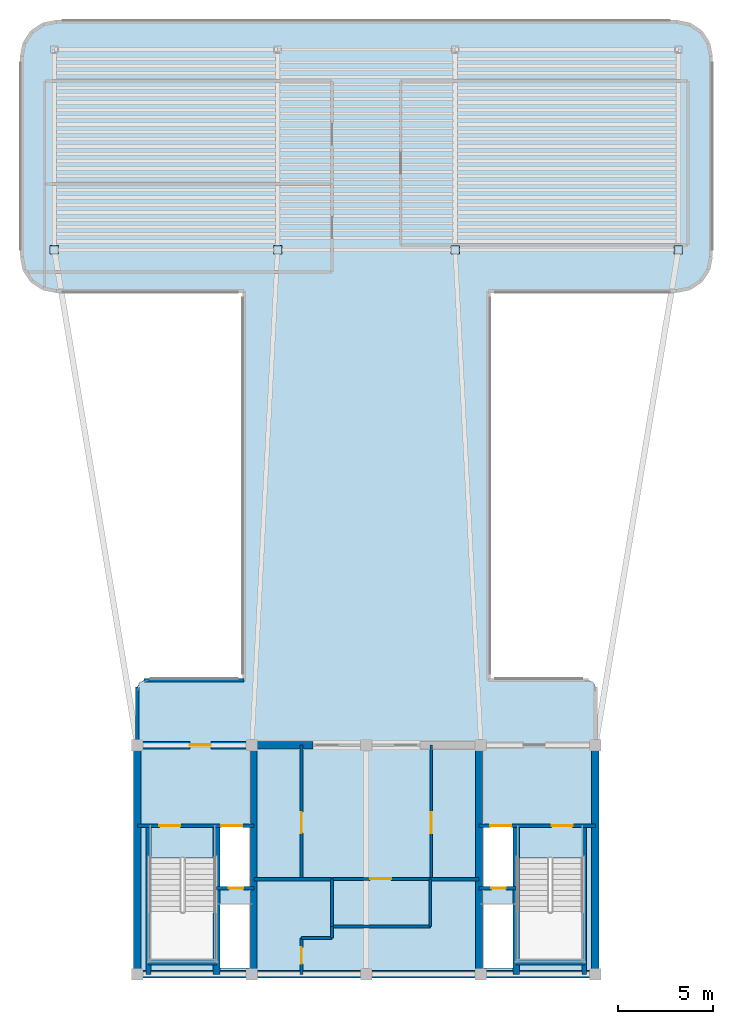
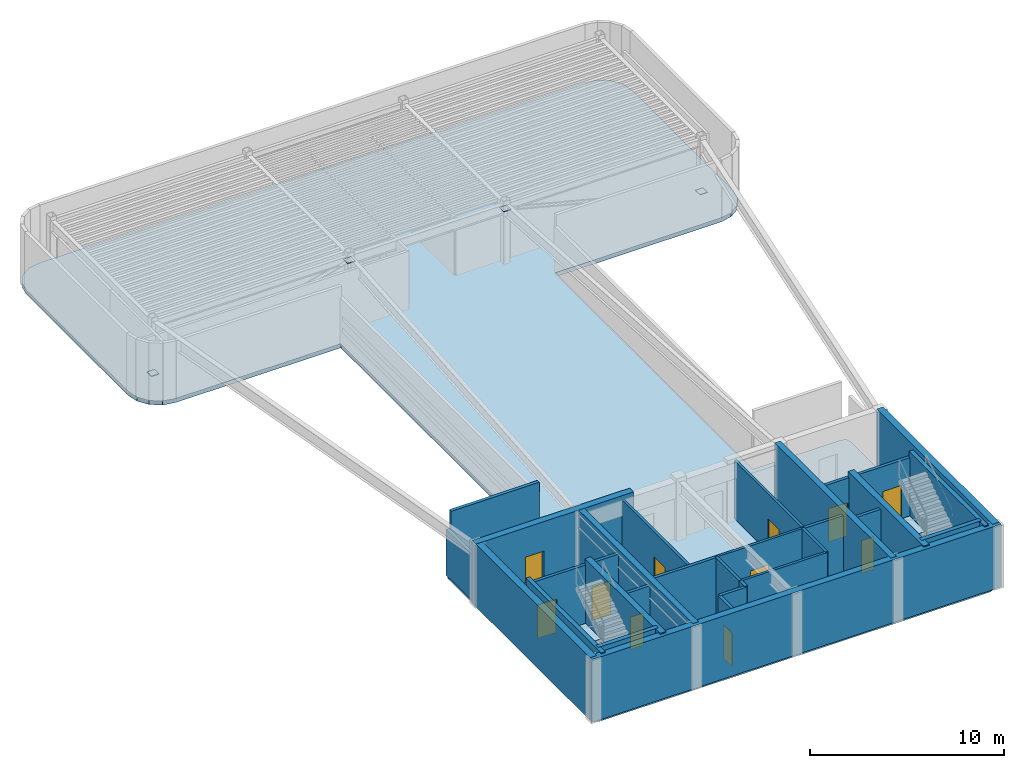
# One storey, part 2 of 6: 29 walls, 11 doors, 4 plates, 1 slab, 11 openings.
"""IFC4 building model written with IfcOpenShell, lengths in metres."""

from ifc_helpers import new_model, si_unit, direction, frame, frame_2d, origin, origin_2d, place, context, subcontext, project, spatial, polyline, rectangle, outline, extrude, source, transform, mapped, material, layer, layer_set, type_object, element, fill, save


model = new_model("IFC4")

# Units and contexts
model_context = context("Model", 3, precision=1e-05, world=origin(), true_north=direction((0.0, 1.0)))
body_context = subcontext(model_context, "Body", "Model", "MODEL_VIEW")
ifc_project = project(units=[si_unit("LENGTHUNIT", "METRE"), si_unit("AREAUNIT", "SQUARE_METRE"), si_unit("VOLUMEUNIT", "CUBIC_METRE"), si_unit("PLANEANGLEUNIT", "RADIAN"), si_unit("MASSUNIT", "GRAM", prefix="KILO")], contexts=[model_context])

# Site, building, storey
site_placement = place(None, origin())
site = spatial("IfcSite", under=ifc_project, at=site_placement, CompositionType="ELEMENT")
building_placement = place(site_placement, origin())
building = spatial("IfcBuilding", under=site, at=building_placement, Name="Brelvock Crest Care Tower", CompositionType="ELEMENT")
storey_placement = place(building_placement, frame((0.0, 0.0, 307.800048828125)))
storey = spatial("IfcBuildingStorey", under=building, at=storey_placement, Name="L78", CompositionType="ELEMENT", Elevation=307.800048828125)

# Slab
ifc_material_1 = material(Name="Concrete N50 (50 MPa)", Category="concrete")
ifc_layer_1 = layer(ifc_material_1, 0.25, Name="SLB-FL3")
ifc_layer_set_1 = layer_set([ifc_layer_1], Name="Concrete N50 (50 MPa)")
slab_type = type_object("IfcSlabType", Name="SLB-FL3", PredefinedType="FLOOR", material=ifc_layer_set_1)
slab_placement = place(storey_placement, frame((0.0, 0.0, -0.25)))
element("IfcSlab", 1, at=slab_placement, inside=storey, type_object=slab_type, Name="L78 Main Structural Slab", PredefinedType="FLOOR", context=body_context, shape_type="SweptSolid", body=[
    extrude(outline(polyline([(42.39990234375, 21.39990234375), (42.39990234375, 41.800048828125), (52.25, 41.800048828125), (52.938720703125, 41.93701171875), (53.522705078125, 42.3271484375), (53.9130859375, 42.9111328125), (54.050048828125, 43.60009765625), (54.050048828125, 54.10009765625), (53.9130859375, 54.788818359375), (53.522705078125, 55.372802734375), (52.938720703125, 55.762939453125), (52.25, 55.89990234375), (19.75, 55.89990234375), (19.061279296875, 55.762939453125), (18.477294921875, 55.372802734375), (18.0869140625, 54.788818359375), (17.949951171875, 54.10009765625), (17.949951171875, 43.60009765625), (18.0869140625, 42.9111328125), (18.477294921875, 42.3271484375), (19.061279296875, 41.93701171875), (19.75, 41.800048828125), (29.60009765625, 41.800048828125), (29.60009765625, 21.39990234375), (24.35009765625, 21.39990234375), (24.1025390625, 21.297607421875), (24.0, 21.050048828125), (24.0, 6.35009765625), (24.1025390625, 6.1025390625), (24.35009765625, 6.0), (47.64990234375, 6.0), (47.8974609375, 6.1025390625), (48.0, 6.35009765625), (48.0, 21.050048828125), (47.8974609375, 21.297607421875), (47.64990234375, 21.39990234375), (42.39990234375, 21.39990234375)]), holes=[polyline([(28.239990234375, 10.580078125), (29.97998046875, 10.580078125), (29.97998046875, 13.739990234375), (28.239990234375, 13.739990234375), (28.239990234375, 10.580078125)]), polyline([(42.02001953125, 10.580078125), (43.760009765625, 10.580078125), (43.760009765625, 13.739990234375), (42.02001953125, 13.739990234375), (42.02001953125, 10.580078125)]), polyline([(28.239990234375, 6.340087890625), (29.97998046875, 6.340087890625), (29.97998046875, 9.64990234375), (28.239990234375, 9.64990234375), (28.239990234375, 6.340087890625)]), polyline([(24.6298828125, 12.080078125), (24.6298828125, 6.699951171875), (28.110107421875, 6.699951171875), (28.110107421875, 12.080078125), (24.6298828125, 12.080078125)]), polyline([(43.889892578125, 12.080078125), (43.889892578125, 6.699951171875), (47.3701171875, 6.699951171875), (47.3701171875, 12.080078125), (43.889892578125, 12.080078125)]), polyline([(42.02001953125, 6.340087890625), (43.760009765625, 6.340087890625), (43.760009765625, 9.64990234375), (42.02001953125, 9.64990234375), (42.02001953125, 6.340087890625)])]), origin(), (0.0, 0.0, 1.0), 0.25),
])

# Plates
ifc_material_2 = material(Name="Steel Grade 350", Category="steel")
plate_type = type_object("IfcPlateType", Name="PLT-EC3", PredefinedType="USERDEFINED", material=ifc_material_2)
shared_shape_1 = source(origin(), body_context, "Body", "SweptSolid", [
    extrude(rectangle(XDim=0.449951171875, YDim=0.449951171875, at=origin_2d()), origin(), (0.0, 0.0, 1.0), 0.02490234375),
])
for number, where, z_axis, x_axis, name in (
    (2, (19.64990234375, 43.949951171875, 0.33740234375), (0.0, 0.0, 1.0), (1.0, 0.0, 0.0), "PLT-CANSTC1-L78-W"),
    (3, (31.35009765625, 43.949951171875, 3.347412109375), (0.0, 0.0, 1.0), (1.0, 0.0, 0.0), "PLT-CANSTC2-L78-W"),
    (4, (52.35009765625, 43.949951171875, 0.33740234375), (0.0, 0.0, 1.0), (1.0, 0.0, 0.0), "PLT-CANSTC1-L78-E"),
    (5, (40.64990234375, 43.949951171875, 3.347412109375), (0.0, 0.0, 1.0), (1.0, 0.0, 0.0), "PLT-CANSTC2-L78-E"),
):
    element("IfcPlate", number, at=place(storey_placement, frame(where, z_axis=z_axis, x_axis=x_axis)), inside=storey, type_object=plate_type, Name=name, ObjectType="FLANGE_PLATE", PredefinedType="USERDEFINED", context=body_context, shape_type="MappedRepresentation", body=[
        mapped(shared_shape_1, transform((0.0, 0.0, 0.0), x_axis=(1.0, 0.0, 0.0), y_axis=(0.0, 1.0, 0.0), z_axis=(0.0, 0.0, 1.0), scale=1.0)),
    ])

# Walls
ifc_material_3 = material(Name="Concrete S65 (65 MPa)", Category="concrete")
ifc_layer_2 = layer(ifc_material_3, 0.39990234375, Name="WL-CS4")
ifc_layer_set_2 = layer_set([ifc_layer_2], Name="Concrete S65 (65 MPa)")
wall_type_1 = type_object("IfcWallType", Name="WL-CS4", PredefinedType="SHEAR", material=ifc_layer_set_2)
wall_1_placement = place(storey_placement, frame((48.199951171875, 6.0, 0.0), z_axis=(0.0, 0.0, 1.0), x_axis=(-1.0, 0.0, 0.0)))
element("IfcWall", 6, at=wall_1_placement, inside=storey, type_object=wall_type_1, Name="L78 Core South Shear Wall", PredefinedType="SHEAR", context=body_context, shape_type="SweptSolid", body=[
    extrude(rectangle(XDim=24.39990234375, YDim=0.39990234375, at=frame_2d((12.199951171875, 0.0))), origin(), (0.0, 0.0, 1.0), 3.9599609375),
])
for number, where, z_axis, x_axis, name in (
    (7, (24.0, 6.0, 0.0), (0.0, 0.0, 1.0), (0.0, 1.0, 0.0), "L78 Core West Shear Wall"),
    (8, (48.0, 18.0, 0.0), (0.0, 0.0, 1.0), (0.0, -1.0, 0.0), "L78 Core East Shear Wall"),
):
    element("IfcWall", number, at=place(storey_placement, frame(where, z_axis=z_axis, x_axis=x_axis)), inside=storey, type_object=wall_type_1, Name=name, PredefinedType="SHEAR", context=body_context, shape_type="SweptSolid", body=[
        extrude(rectangle(XDim=12.0, YDim=0.39990234375, at=frame_2d((6.0, 0.0))), origin(), (0.0, 0.0, 1.0), 3.9599609375),
    ])

# Wall, opening, door
wall_2_placement = place(storey_placement, frame((23.800048828125, 18.0, 0.0), z_axis=(0.0, 0.0, 1.0), x_axis=(1.0, 0.0, 0.0)))
wall_2 = element("IfcWall", 9, at=wall_2_placement, inside=storey, type_object=wall_type_1, Name="L78 Core North-West Shear Wall", PredefinedType="SHEAR", context=body_context, shape_type="SweptSolid", body=[
    extrude(rectangle(XDim=9.39990234375, YDim=0.39990234375, at=frame_2d((4.699951171875, 0.0))), origin(), (0.0, 0.0, 1.0), 3.9599609375),
])
opening_1_placement = place(wall_2_placement, frame((2.949951171875, 0.0, 0.0)))
opening_1 = element("IfcOpeningElement", 10, at=opening_1_placement, cuts=wall_2, Name="Opening FD-1", PredefinedType="OPENING", context=body_context, shape_type="SweptSolid", body=[
    extrude(rectangle(XDim=1.10009765625, YDim=2.10009765625, at=origin_2d()), frame((0.550048828125, 0.2099609375, 1.050048828125), z_axis=(0.0, -1.0, 0.0), x_axis=(1.0, 0.0, 0.0)), (0.0, 0.0, 1.0), 0.419921875),
])
door_type_1 = type_object("IfcDoorType", Name="DR-FFL1", OperationType="NOTDEFINED", PredefinedType="DOOR", material=ifc_material_2)
shared_shape_2 = source(origin(), body_context, "Body", "SweptSolid", [
    extrude(rectangle(XDim=1.10009765625, YDim=2.10009765625, at=origin_2d()), frame((0.550048828125, 0.02490234375, 1.050048828125), z_axis=(0.0, -1.0, 0.0), x_axis=(1.0, 0.0, 0.0)), (0.0, 0.0, 1.0), 0.050048828125),
])
door_1_placement = place(opening_1_placement, origin())
door_1 = element("IfcDoor", 11, at=door_1_placement, inside=storey, type_object=door_type_1, Name="L78 Firefighting Lobby FFL-1 Exit Door", OperationType="SINGLE_SWING_LEFT", OverallHeight=2.10009765625, OverallWidth=1.10009765625, PredefinedType="DOOR", context=body_context, shape_type="MappedRepresentation", body=[
    mapped(shared_shape_2, transform((0.0, 0.0, 0.0), x_axis=(1.0, 0.0, 0.0), y_axis=(0.0, 1.0, 0.0), z_axis=(0.0, 0.0, 1.0), scale=1.0)),
])
fill(opening_1, door_1)

# Walls
ifc_material_4 = material(Name="Concrete S80 (80 MPa)", Category="concrete")
ifc_layer_3 = layer(ifc_material_4, 0.35009765625, Name="WL-CS5")
ifc_layer_set_3 = layer_set([ifc_layer_3], Name="Concrete S80 (80 MPa)")
wall_type_2 = type_object("IfcWallType", Name="WL-CS5", PredefinedType="SHEAR", material=ifc_layer_set_3)
for number, where, z_axis, x_axis, name in (
    (12, (30.10009765625, 6.0, 0.0), (0.0, 0.0, 1.0), (0.0, 1.0, 0.0), "L78 Core Internal Web Wall West"),
    (13, (41.89990234375, 18.0, 0.0), (0.0, 0.0, 1.0), (0.0, -1.0, 0.0), "L78 Core Internal Web Wall East"),
):
    element("IfcWall", number, at=place(storey_placement, frame(where, z_axis=z_axis, x_axis=x_axis)), inside=storey, type_object=wall_type_2, Name=name, PredefinedType="SHEAR", context=body_context, shape_type="SweptSolid", body=[
        extrude(rectangle(XDim=12.0, YDim=0.35009765625, at=frame_2d((6.0, 0.0))), origin(), (0.0, 0.0, 1.0), 3.9599609375),
    ])
for number, where, z_axis, x_axis, name in (
    (14, (28.14990234375, 6.0, 0.0), (0.0, 0.0, 1.0), (0.0, 1.0, 0.0), "L78 Core Stair ST-1 East Shear Wall"),
    (15, (43.85009765625, 6.0, 0.0), (0.0, 0.0, 1.0), (0.0, 1.0, 0.0), "L78 Core Stair ST-2 West Shear Wall"),
):
    element("IfcWall", number, at=place(storey_placement, frame(where, z_axis=z_axis, x_axis=x_axis)), inside=storey, type_object=wall_type_2, Name=name, PredefinedType="SHEAR", context=body_context, shape_type="SweptSolid", body=[
        extrude(rectangle(XDim=7.780029296875, YDim=0.35009765625, at=frame_2d((3.89013671875, 0.0))), origin(), (0.0, 0.0, 1.0), 4.030029296875),
    ])
ifc_layer_4 = layer(ifc_material_4, 0.25, Name="WL-CS6")
ifc_layer_set_4 = layer_set([ifc_layer_4], Name="Concrete S80 (80 MPa)")
wall_type_3 = type_object("IfcWallType", Name="WL-CS6", PredefinedType="SHEAR", material=ifc_layer_set_4)
wall_3_placement = place(storey_placement, frame((24.580078125, 6.0, 0.0), z_axis=(0.0, 0.0, 1.0), x_axis=(0.0, 1.0, 0.0)))
element("IfcWall", 16, at=wall_3_placement, inside=storey, type_object=wall_type_3, Name="L78 Core Stair ST-1 West Shear Wall", PredefinedType="SHEAR", context=body_context, shape_type="SweptSolid", body=[
    extrude(rectangle(XDim=7.780029296875, YDim=0.25, at=frame_2d((3.89013671875, 0.0))), origin(), (0.0, 0.0, 1.0), 4.030029296875),
])
wall_4_placement = place(storey_placement, frame((24.580078125, 6.6201171875, 0.0), z_axis=(0.0, 0.0, 1.0), x_axis=(1.0, 0.0, 0.0)))
element("IfcWall", 17, at=wall_4_placement, inside=storey, type_object=wall_type_3, Name="L78 Core Stair ST-1 South Shear Wall", PredefinedType="SHEAR", context=body_context, shape_type="SweptSolid", body=[
    extrude(rectangle(XDim=3.56982421875, YDim=0.25, at=frame_2d((1.784912109375, 0.0))), origin(), (0.0, 0.0, 1.0), 4.030029296875),
])
wall_5_placement = place(storey_placement, frame((47.419921875, 6.0, 0.0), z_axis=(0.0, 0.0, 1.0), x_axis=(0.0, 1.0, 0.0)))
element("IfcWall", 18, at=wall_5_placement, inside=storey, type_object=wall_type_3, Name="L78 Core Stair ST-2 East Shear Wall", PredefinedType="SHEAR", context=body_context, shape_type="SweptSolid", body=[
    extrude(rectangle(XDim=7.780029296875, YDim=0.25, at=frame_2d((3.89013671875, 0.0))), origin(), (0.0, 0.0, 1.0), 4.030029296875),
])
wall_6_placement = place(storey_placement, frame((43.85009765625, 6.6201171875, 0.0), z_axis=(0.0, 0.0, 1.0), x_axis=(1.0, 0.0, 0.0)))
element("IfcWall", 19, at=wall_6_placement, inside=storey, type_object=wall_type_3, Name="L78 Core Stair ST-2 South Shear Wall", PredefinedType="SHEAR", context=body_context, shape_type="SweptSolid", body=[
    extrude(rectangle(XDim=3.56982421875, YDim=0.25, at=frame_2d((1.784912109375, 0.0))), origin(), (0.0, 0.0, 1.0), 4.030029296875),
])
ifc_material_5 = material(Name="Precast concrete N40 (40 MPa)", Category="concrete")
ifc_layer_5 = layer(ifc_material_5, 0.195068359375, Name="WL-EX3")
ifc_layer_set_5 = layer_set([ifc_layer_5], Name="Precast concrete N40 (40 MPa)")
wall_type_4 = type_object("IfcWallType", Name="WL-EX3", PredefinedType="SOLIDWALL", material=ifc_layer_set_5)
wall_7_placement = place(storey_placement, frame((24.0, 18.280029296875, 0.0), z_axis=(0.0, 0.0, 1.0), x_axis=(0.0, 1.0, 0.0)))
element("IfcWall", 20, at=wall_7_placement, inside=storey, type_object=wall_type_4, Name="L78 Crown and Plant Cladding Wall 08", PredefinedType="SOLIDWALL", context=body_context, shape_type="SweptSolid", body=[
    extrude(rectangle(XDim=2.77001953125, YDim=0.195068359375, at=frame_2d((1.385009765625, 0.0))), origin(), (0.0, 0.0, 1.0), 2.89794921875),
])
wall_8_placement = place(storey_placement, frame((24.35009765625, 21.39990234375, 0.0), z_axis=(0.0, 0.0, 1.0), x_axis=(1.0, 0.0, 0.0)))
element("IfcWall", 21, at=wall_8_placement, inside=storey, type_object=wall_type_4, Name="L78 Crown and Plant Cladding Wall 11", PredefinedType="SOLIDWALL", context=body_context, shape_type="SweptSolid", body=[
    extrude(rectangle(XDim=5.25, YDim=0.195068359375, at=frame_2d((2.625, 0.0))), origin(), (0.0, 0.0, 1.0), 3.7099609375),
])

# Wall, opening, door
ifc_material_6 = material(Name="Masonry Blockwork Acoustic Partition", Category="masonry")
ifc_layer_6 = layer(ifc_material_6, 0.14990234375, Name="WL-INT1")
ifc_layer_set_6 = layer_set([ifc_layer_6], Name="Masonry Blockwork Acoustic Partition")
wall_type_5 = type_object("IfcWallType", Name="WL-INT1", PredefinedType="PARTITIONING", material=ifc_layer_set_6)
wall_9_placement = place(storey_placement, frame((32.60009765625, 11.0, 0.0), z_axis=(0.0, 0.0, 1.0), x_axis=(0.0, 1.0, 0.0)))
wall_9 = element("IfcWall", 22, at=wall_9_placement, inside=storey, type_object=wall_type_5, Name="L78 Interior Wall WL-CRCL-E-L78", PredefinedType="PARTITIONING", context=body_context, shape_type="SweptSolid", body=[
    extrude(rectangle(XDim=7.0, YDim=0.14990234375, at=frame_2d((3.5, 0.0))), origin(), (0.0, 0.0, 1.0), 3.679931640625),
])
opening_2_placement = place(wall_9_placement, frame((2.39990234375, 0.0, 0.0)))
opening_2 = element("IfcOpeningElement", 23, at=opening_2_placement, cuts=wall_9, Name="Opening PD-1", PredefinedType="OPENING", context=body_context, shape_type="SweptSolid", body=[
    extrude(rectangle(XDim=1.10009765625, YDim=2.10009765625, at=origin_2d()), frame((0.550048828125, 0.0849609375, 1.050048828125), z_axis=(0.0, -1.0, 0.0), x_axis=(1.0, 0.0, 0.0)), (0.0, 0.0, 1.0), 0.169921875),
])
door_type_2 = type_object("IfcDoorType", Name="DR-PLT1", OperationType="NOTDEFINED", PredefinedType="DOOR", material=ifc_material_2)
shared_shape_3 = source(origin(), body_context, "Body", "SweptSolid", [
    extrude(rectangle(XDim=1.10009765625, YDim=2.10009765625, at=origin_2d()), frame((0.550048828125, 0.02490234375, 1.050048828125), z_axis=(0.0, -1.0, 0.0), x_axis=(1.0, 0.0, 0.0)), (0.0, 0.0, 1.0), 0.050048828125),
])
door_2_placement = place(opening_2_placement, origin())
door_2 = element("IfcDoor", 24, at=door_2_placement, inside=storey, type_object=door_type_2, Name="DR-CRCL1-L78", OperationType="SINGLE_SWING_LEFT", OverallHeight=2.10009765625, OverallWidth=1.10009765625, PredefinedType="DOOR", context=body_context, shape_type="MappedRepresentation", body=[
    mapped(shared_shape_3, transform((0.0, 0.0, 0.0), x_axis=(1.0, 0.0, 0.0), y_axis=(0.0, 1.0, 0.0), z_axis=(0.0, 0.0, 1.0), scale=1.0)),
])
fill(opening_2, door_2)

# Walls
wall_10_placement = place(storey_placement, frame((34.199951171875, 8.5, 0.0), z_axis=(0.0, 0.0, 1.0), x_axis=(1.0, 0.0, 0.0)))
element("IfcWall", 25, at=wall_10_placement, inside=storey, type_object=wall_type_5, Name="L78 Interior Wall WL-CRCM-S-L78", PredefinedType="PARTITIONING", context=body_context, shape_type="SweptSolid", body=[
    extrude(rectangle(XDim=5.150146484375, YDim=0.14990234375, at=frame_2d((2.5751953125, 0.0))), origin(), (0.0, 0.0, 1.0), 3.679931640625),
])
for number, where, z_axis, x_axis, name in (
    (26, (34.199951171875, 8.5, 0.0), (0.0, 0.0, 1.0), (0.0, 1.0, 0.0), "L78 Interior Wall WL-CRCM-W-L78"),
    (27, (39.35009765625, 8.5, 0.0), (0.0, 0.0, 1.0), (0.0, 1.0, 0.0), "L78 Interior Wall WL-CRCM-E-L78"),
):
    element("IfcWall", number, at=place(storey_placement, frame(where, z_axis=z_axis, x_axis=x_axis)), inside=storey, type_object=wall_type_5, Name=name, PredefinedType="PARTITIONING", context=body_context, shape_type="SweptSolid", body=[
        extrude(rectangle(XDim=2.5, YDim=0.14990234375, at=frame_2d((1.25, 0.0))), origin(), (0.0, 0.0, 1.0), 3.679931640625),
    ])

# Wall, opening, door
wall_11_placement = place(storey_placement, frame((34.199951171875, 11.0, 0.0), z_axis=(0.0, 0.0, 1.0), x_axis=(1.0, 0.0, 0.0)))
wall_11 = element("IfcWall", 28, at=wall_11_placement, inside=storey, type_object=wall_type_5, Name="L78 Interior Wall WL-CRCM-N-L78", PredefinedType="PARTITIONING", context=body_context, shape_type="SweptSolid", body=[
    extrude(rectangle(XDim=5.150146484375, YDim=0.14990234375, at=frame_2d((2.5751953125, 0.0))), origin(), (0.0, 0.0, 1.0), 3.679931640625),
])
opening_3_placement = place(wall_11_placement, frame((2.0, 0.0, 0.0)))
opening_3 = element("IfcOpeningElement", 29, at=opening_3_placement, cuts=wall_11, Name="Opening PD-1", PredefinedType="OPENING", context=body_context, shape_type="SweptSolid", body=[
    extrude(rectangle(XDim=1.10009765625, YDim=2.10009765625, at=origin_2d()), frame((0.550048828125, 0.0849609375, 1.050048828125), z_axis=(0.0, -1.0, 0.0), x_axis=(1.0, 0.0, 0.0)), (0.0, 0.0, 1.0), 0.169921875),
])
door_3_placement = place(opening_3_placement, origin())
door_3 = element("IfcDoor", 30, at=door_3_placement, inside=storey, type_object=door_type_2, Name="DR-CRCM1-L78", OperationType="SINGLE_SWING_LEFT", OverallHeight=2.10009765625, OverallWidth=1.10009765625, PredefinedType="DOOR", context=body_context, shape_type="MappedRepresentation", body=[
    mapped(shared_shape_3, transform((0.0, 0.0, 0.0), x_axis=(1.0, 0.0, 0.0), y_axis=(0.0, 1.0, 0.0), z_axis=(0.0, 0.0, 1.0), scale=1.0)),
])
fill(opening_3, door_3)

wall_12_placement = place(storey_placement, frame((39.39990234375, 11.0, 0.0), z_axis=(0.0, 0.0, 1.0), x_axis=(0.0, 1.0, 0.0)))
wall_12 = element("IfcWall", 31, at=wall_12_placement, inside=storey, type_object=wall_type_5, Name="L78 Interior Wall WL-CRCH-W-L78", PredefinedType="PARTITIONING", context=body_context, shape_type="SweptSolid", body=[
    extrude(rectangle(XDim=7.0, YDim=0.14990234375, at=frame_2d((3.5, 0.0))), origin(), (0.0, 0.0, 1.0), 3.679931640625),
])
opening_4_placement = place(wall_12_placement, frame((2.39990234375, 0.0, 0.0)))
opening_4 = element("IfcOpeningElement", 32, at=opening_4_placement, cuts=wall_12, Name="Opening PD-1", PredefinedType="OPENING", context=body_context, shape_type="SweptSolid", body=[
    extrude(rectangle(XDim=1.10009765625, YDim=2.10009765625, at=origin_2d()), frame((0.550048828125, 0.0849609375, 1.050048828125), z_axis=(0.0, -1.0, 0.0), x_axis=(1.0, 0.0, 0.0)), (0.0, 0.0, 1.0), 0.169921875),
])
door_4_placement = place(opening_4_placement, origin())
door_4 = element("IfcDoor", 33, at=door_4_placement, inside=storey, type_object=door_type_2, Name="DR-CRCH-L78", OperationType="SINGLE_SWING_RIGHT", OverallHeight=2.10009765625, OverallWidth=1.10009765625, PredefinedType="DOOR", context=body_context, shape_type="MappedRepresentation", body=[
    mapped(shared_shape_3, transform((0.0, 0.0, 0.0), x_axis=(1.0, 0.0, 0.0), y_axis=(0.0, 1.0, 0.0), z_axis=(0.0, 0.0, 1.0), scale=1.0)),
])
fill(opening_4, door_4)

# Walls
ifc_layer_7 = layer(ifc_material_6, 0.179931640625, Name="WL-SHF1")
ifc_layer_set_7 = layer_set([ifc_layer_7], Name="Masonry Blockwork Acoustic Partition")
wall_type_6 = type_object("IfcWallType", Name="WL-SHF1", PredefinedType="PARTITIONING", material=ifc_layer_set_7)
wall_13_placement = place(storey_placement, frame((30.10009765625, 10.97998046875, 0.0), z_axis=(0.0, 0.0, 1.0), x_axis=(1.0, 0.0, 0.0)))
element("IfcWall", 34, at=wall_13_placement, inside=storey, type_object=wall_type_6, Name="L78 Interior Wall WL-CSBW-N-L78", PredefinedType="PARTITIONING", context=body_context, shape_type="SweptSolid", body=[
    extrude(rectangle(XDim=4.079833984375, YDim=0.179931640625, at=frame_2d((2.0400390625, 0.0))), origin(), (0.0, 0.0, 1.0), 3.679931640625),
])
wall_14_placement = place(storey_placement, frame((34.199951171875, 7.89990234375, 0.0), z_axis=(0.0, 0.0, 1.0), x_axis=(0.0, 1.0, 0.0)))
element("IfcWall", 35, at=wall_14_placement, inside=storey, type_object=wall_type_6, Name="L78 Interior Wall WL-CSBW-E2-L78", PredefinedType="PARTITIONING", context=body_context, shape_type="SweptSolid", body=[
    extrude(rectangle(XDim=0.60009765625, YDim=0.179931640625, at=frame_2d((0.300048828125, 0.0))), origin(), (0.0, 0.0, 1.0), 3.679931640625),
])
wall_15_placement = place(storey_placement, frame((32.60009765625, 7.89990234375, 0.0), z_axis=(0.0, 0.0, 1.0), x_axis=(1.0, 0.0, 0.0)))
element("IfcWall", 36, at=wall_15_placement, inside=storey, type_object=wall_type_6, Name="L78 Interior Wall WL-CSBW-S2-L78", PredefinedType="PARTITIONING", context=body_context, shape_type="SweptSolid", body=[
    extrude(rectangle(XDim=1.599853515625, YDim=0.179931640625, at=frame_2d((0.7998046875, 0.0))), origin(), (0.0, 0.0, 1.0), 3.679931640625),
])

# Wall, opening, door
wall_16_placement = place(storey_placement, frame((32.60009765625, 6.0, 0.0), z_axis=(0.0, 0.0, 1.0), x_axis=(0.0, 1.0, 0.0)))
wall_16 = element("IfcWall", 37, at=wall_16_placement, inside=storey, type_object=wall_type_6, Name="L78 Interior Wall WL-CSBW-E1-L78", PredefinedType="PARTITIONING", context=body_context, shape_type="SweptSolid", body=[
    extrude(rectangle(XDim=1.89990234375, YDim=0.179931640625, at=frame_2d((0.949951171875, 0.0))), origin(), (0.0, 0.0, 1.0), 3.679931640625),
])
opening_5_placement = place(wall_16_placement, frame((0.550048828125, 0.0, 0.0)))
opening_5 = element("IfcOpeningElement", 38, at=opening_5_placement, cuts=wall_16, Name="Opening ID-1", PredefinedType="OPENING", context=body_context, shape_type="SweptSolid", body=[
    extrude(rectangle(XDim=0.860107421875, YDim=2.10009765625, at=origin_2d()), frame((0.43017578125, 0.10009765625, 1.050048828125), z_axis=(0.0, -1.0, 0.0), x_axis=(1.0, 0.0, 0.0)), (0.0, 0.0, 1.0), 0.199951171875),
])
ifc_material_7 = material(Name="Engineered Hardwood Timber", Category="wood")
door_type_3 = type_object("IfcDoorType", Name="DR-INT1", OperationType="NOTDEFINED", PredefinedType="DOOR", material=ifc_material_7)
shared_shape_4 = source(origin(), body_context, "Body", "SweptSolid", [
    extrude(rectangle(XDim=0.860107421875, YDim=2.10009765625, at=origin_2d()), frame((0.43017578125, 0.02490234375, 1.050048828125), z_axis=(0.0, -1.0, 0.0), x_axis=(1.0, 0.0, 0.0)), (0.0, 0.0, 1.0), 0.050048828125),
])
door_5_placement = place(opening_5_placement, origin())
door_5 = element("IfcDoor", 39, at=door_5_placement, inside=storey, type_object=door_type_3, Name="DR-CSBW-L78", OperationType="SINGLE_SWING_LEFT", OverallHeight=2.10009765625, OverallWidth=0.860107421875, PredefinedType="DOOR", context=body_context, shape_type="MappedRepresentation", body=[
    mapped(shared_shape_4, transform((0.0, 0.0, 0.0), x_axis=(1.0, 0.0, 0.0), y_axis=(0.0, 1.0, 0.0), z_axis=(0.0, 0.0, 1.0), scale=1.0)),
])
fill(opening_5, door_5)

# Wall
wall_17_placement = place(storey_placement, frame((39.35009765625, 10.97998046875, 0.0), z_axis=(0.0, 0.0, 1.0), x_axis=(1.0, 0.0, 0.0)))
element("IfcWall", 40, at=wall_17_placement, inside=storey, type_object=wall_type_6, Name="L78 Interior Wall WL-CSBE-N-L78", PredefinedType="PARTITIONING", context=body_context, shape_type="SweptSolid", body=[
    extrude(rectangle(XDim=2.5498046875, YDim=0.179931640625, at=frame_2d((1.27490234375, 0.0))), origin(), (0.0, 0.0, 1.0), 3.679931640625),
])

# Wall, openings, doors
wall_18_placement = place(storey_placement, frame((24.0, 13.780029296875, 0.0), z_axis=(0.0, 0.0, 1.0), x_axis=(1.0, 0.0, 0.0)))
wall_18 = element("IfcWall", 41, at=wall_18_placement, inside=storey, type_object=wall_type_6, Name="L78 Interior Wall WL-ST1-N-L78", PredefinedType="PARTITIONING", context=body_context, shape_type="SweptSolid", body=[
    extrude(rectangle(XDim=6.10009765625, YDim=0.179931640625, at=frame_2d((3.050048828125, 0.0))), origin(), (0.0, 0.0, 1.0), 3.679931640625),
])
opening_6_placement = place(wall_18_placement, frame((1.14990234375, 0.0, 0.0)))
opening_6 = element("IfcOpeningElement", 42, at=opening_6_placement, cuts=wall_18, Name="Opening SD-1", PredefinedType="OPENING", context=body_context, shape_type="SweptSolid", body=[
    extrude(rectangle(XDim=1.10009765625, YDim=2.10009765625, at=origin_2d()), frame((0.550048828125, 0.10009765625, 1.050048828125), z_axis=(0.0, -1.0, 0.0), x_axis=(1.0, 0.0, 0.0)), (0.0, 0.0, 1.0), 0.199951171875),
])
opening_7_placement = place(wall_18_placement, frame((4.39990234375, 0.0, 0.0)))
opening_7 = element("IfcOpeningElement", 43, at=opening_7_placement, cuts=wall_18, Name="Opening LD", PredefinedType="OPENING", context=body_context, shape_type="SweptSolid", body=[
    extrude(rectangle(XDim=1.10009765625, YDim=2.10009765625, at=origin_2d()), frame((0.550048828125, 0.10009765625, 1.050048828125), z_axis=(0.0, -1.0, 0.0), x_axis=(1.0, 0.0, 0.0)), (0.0, 0.0, 1.0), 0.199951171875),
])
door_type_4 = type_object("IfcDoorType", Name="DR-ST1", OperationType="NOTDEFINED", PredefinedType="DOOR", material=ifc_material_2)
shared_shape_5 = source(origin(), body_context, "Body", "SweptSolid", [
    extrude(rectangle(XDim=1.10009765625, YDim=2.10009765625, at=origin_2d()), frame((0.550048828125, 0.02490234375, 1.050048828125), z_axis=(0.0, -1.0, 0.0), x_axis=(1.0, 0.0, 0.0)), (0.0, 0.0, 1.0), 0.050048828125),
])
door_6_placement = place(opening_6_placement, origin())
door_6 = element("IfcDoor", 44, at=door_6_placement, inside=storey, type_object=door_type_4, Name="L78 Fire Stair ST-1 Door", OperationType="SINGLE_SWING_LEFT", OverallHeight=2.10009765625, OverallWidth=1.10009765625, PredefinedType="DOOR", context=body_context, shape_type="MappedRepresentation", body=[
    mapped(shared_shape_5, transform((0.0, 0.0, 0.0), x_axis=(1.0, 0.0, 0.0), y_axis=(0.0, 1.0, 0.0), z_axis=(0.0, 0.0, 1.0), scale=1.0)),
])
fill(opening_6, door_6)
door_type_5 = type_object("IfcDoorType", Name="DR-LD1", OperationType="NOTDEFINED", PredefinedType="DOOR", material=ifc_material_2)
shared_shape_6 = source(origin(), body_context, "Body", "SweptSolid", [
    extrude(rectangle(XDim=1.10009765625, YDim=2.10009765625, at=origin_2d()), frame((0.550048828125, 0.02490234375, 1.050048828125), z_axis=(0.0, -1.0, 0.0), x_axis=(1.0, 0.0, 0.0)), (0.0, 0.0, 1.0), 0.050048828125),
])
door_7_placement = place(opening_7_placement, origin())
door_7 = element("IfcDoor", 45, at=door_7_placement, inside=storey, type_object=door_type_5, Name="L78 Firefighting Lift FFL-1 Landing Door", OperationType="SLIDING_TO_LEFT", OverallHeight=2.10009765625, OverallWidth=1.10009765625, PredefinedType="DOOR", context=body_context, shape_type="MappedRepresentation", body=[
    mapped(shared_shape_6, transform((0.0, 0.0, 0.0), x_axis=(1.0, 0.0, 0.0), y_axis=(0.0, 1.0, 0.0), z_axis=(0.0, 0.0, 1.0), scale=1.0)),
])
fill(opening_7, door_7)

# Wall, opening, door
wall_19_placement = place(storey_placement, frame((28.14990234375, 10.5, 0.0), z_axis=(0.0, 0.0, 1.0), x_axis=(1.0, 0.0, 0.0)))
wall_19 = element("IfcWall", 46, at=wall_19_placement, inside=storey, type_object=wall_type_6, Name="L78 Interior Wall WL-FFH1-S-L78", PredefinedType="PARTITIONING", context=body_context, shape_type="SweptSolid", body=[
    extrude(rectangle(XDim=1.9501953125, YDim=0.179931640625, at=frame_2d((0.97509765625, 0.0))), origin(), (0.0, 0.0, 1.0), 3.679931640625),
])
opening_8_placement = place(wall_19_placement, frame((0.64990234375, 0.0, 0.0)))
opening_8 = element("IfcOpeningElement", 47, at=opening_8_placement, cuts=wall_19, Name="Opening RD-1", PredefinedType="OPENING", context=body_context, shape_type="SweptSolid", body=[
    extrude(rectangle(XDim=0.760009765625, YDim=2.050048828125, at=origin_2d()), frame((0.3798828125, 0.10009765625, 1.02490234375), z_axis=(0.0, -1.0, 0.0), x_axis=(1.0, 0.0, 0.0)), (0.0, 0.0, 1.0), 0.199951171875),
])
door_type_6 = type_object("IfcDoorType", Name="DR-RIS1", OperationType="NOTDEFINED", PredefinedType="DOOR", material=ifc_material_2)
shared_shape_7 = source(origin(), body_context, "Body", "SweptSolid", [
    extrude(rectangle(XDim=0.760009765625, YDim=2.050048828125, at=origin_2d()), frame((0.3798828125, 0.02490234375, 1.02490234375), z_axis=(0.0, -1.0, 0.0), x_axis=(1.0, 0.0, 0.0)), (0.0, 0.0, 1.0), 0.050048828125),
])
door_8_placement = place(opening_8_placement, origin())
door_8 = element("IfcDoor", 48, at=door_8_placement, inside=storey, type_object=door_type_6, Name="L78 Wet Fire Riser Access Door", OperationType="SINGLE_SWING_LEFT", OverallHeight=2.050048828125, OverallWidth=0.760009765625, PredefinedType="DOOR", context=body_context, shape_type="MappedRepresentation", body=[
    mapped(shared_shape_7, transform((0.0, 0.0, 0.0), x_axis=(1.0, 0.0, 0.0), y_axis=(0.0, 1.0, 0.0), z_axis=(0.0, 0.0, 1.0), scale=1.0)),
])
fill(opening_8, door_8)

# Wall, openings, doors
wall_20_placement = place(storey_placement, frame((41.89990234375, 13.780029296875, 0.0), z_axis=(0.0, 0.0, 1.0), x_axis=(1.0, 0.0, 0.0)))
wall_20 = element("IfcWall", 49, at=wall_20_placement, inside=storey, type_object=wall_type_6, Name="L78 Interior Wall WL-ST2-N-L78", PredefinedType="PARTITIONING", context=body_context, shape_type="SweptSolid", body=[
    extrude(rectangle(XDim=6.10009765625, YDim=0.179931640625, at=frame_2d((3.050048828125, 0.0))), origin(), (0.0, 0.0, 1.0), 3.679931640625),
])
opening_9_placement = place(wall_20_placement, frame((0.60009765625, 0.0, 0.0)))
opening_9 = element("IfcOpeningElement", 50, at=opening_9_placement, cuts=wall_20, Name="Opening LD", PredefinedType="OPENING", context=body_context, shape_type="SweptSolid", body=[
    extrude(rectangle(XDim=1.10009765625, YDim=2.10009765625, at=origin_2d()), frame((0.550048828125, 0.10009765625, 1.050048828125), z_axis=(0.0, -1.0, 0.0), x_axis=(1.0, 0.0, 0.0)), (0.0, 0.0, 1.0), 0.199951171875),
])
opening_10_placement = place(wall_20_placement, frame((3.800048828125, 0.0, 0.0)))
opening_10 = element("IfcOpeningElement", 51, at=opening_10_placement, cuts=wall_20, Name="Opening SD-1", PredefinedType="OPENING", context=body_context, shape_type="SweptSolid", body=[
    extrude(rectangle(XDim=1.10009765625, YDim=2.10009765625, at=origin_2d()), frame((0.550048828125, 0.10009765625, 1.050048828125), z_axis=(0.0, -1.0, 0.0), x_axis=(1.0, 0.0, 0.0)), (0.0, 0.0, 1.0), 0.199951171875),
])
door_9_placement = place(opening_10_placement, origin())
door_9 = element("IfcDoor", 52, at=door_9_placement, inside=storey, type_object=door_type_4, Name="L78 Fire Stair ST-2 Door", OperationType="SINGLE_SWING_RIGHT", OverallHeight=2.10009765625, OverallWidth=1.10009765625, PredefinedType="DOOR", context=body_context, shape_type="MappedRepresentation", body=[
    mapped(shared_shape_5, transform((0.0, 0.0, 0.0), x_axis=(1.0, 0.0, 0.0), y_axis=(0.0, 1.0, 0.0), z_axis=(0.0, 0.0, 1.0), scale=1.0)),
])
fill(opening_10, door_9)
door_10_placement = place(opening_9_placement, origin())
door_10 = element("IfcDoor", 53, at=door_10_placement, inside=storey, type_object=door_type_5, Name="L78 Firefighting Lift FFL-2 Landing Door", OperationType="SLIDING_TO_RIGHT", OverallHeight=2.10009765625, OverallWidth=1.10009765625, PredefinedType="DOOR", context=body_context, shape_type="MappedRepresentation", body=[
    mapped(shared_shape_6, transform((0.0, 0.0, 0.0), x_axis=(1.0, 0.0, 0.0), y_axis=(0.0, 1.0, 0.0), z_axis=(0.0, 0.0, 1.0), scale=1.0)),
])
fill(opening_9, door_10)

# Wall, opening, door
wall_21_placement = place(storey_placement, frame((41.89990234375, 10.5, 0.0), z_axis=(0.0, 0.0, 1.0), x_axis=(1.0, 0.0, 0.0)))
wall_21 = element("IfcWall", 54, at=wall_21_placement, inside=storey, type_object=wall_type_6, Name="L78 Interior Wall WL-FFH2-S-L78", PredefinedType="PARTITIONING", context=body_context, shape_type="SweptSolid", body=[
    extrude(rectangle(XDim=1.9501953125, YDim=0.179931640625, at=frame_2d((0.97509765625, 0.0))), origin(), (0.0, 0.0, 1.0), 3.679931640625),
])
opening_11_placement = place(wall_21_placement, frame((0.64990234375, 0.0, 0.0)))
opening_11 = element("IfcOpeningElement", 55, at=opening_11_placement, cuts=wall_21, Name="Opening RD-1", PredefinedType="OPENING", context=body_context, shape_type="SweptSolid", body=[
    extrude(rectangle(XDim=0.760009765625, YDim=2.050048828125, at=origin_2d()), frame((0.3798828125, 0.10009765625, 1.02490234375), z_axis=(0.0, -1.0, 0.0), x_axis=(1.0, 0.0, 0.0)), (0.0, 0.0, 1.0), 0.199951171875),
])
door_11_placement = place(opening_11_placement, origin())
door_11 = element("IfcDoor", 56, at=door_11_placement, inside=storey, type_object=door_type_6, Name="L78 East Riser Access Door", OperationType="SINGLE_SWING_RIGHT", OverallHeight=2.050048828125, OverallWidth=0.760009765625, PredefinedType="DOOR", context=body_context, shape_type="MappedRepresentation", body=[
    mapped(shared_shape_7, transform((0.0, 0.0, 0.0), x_axis=(1.0, 0.0, 0.0), y_axis=(0.0, 1.0, 0.0), z_axis=(0.0, 0.0, 1.0), scale=1.0)),
])
fill(opening_11, door_11)

save(model, "model.ifc")
